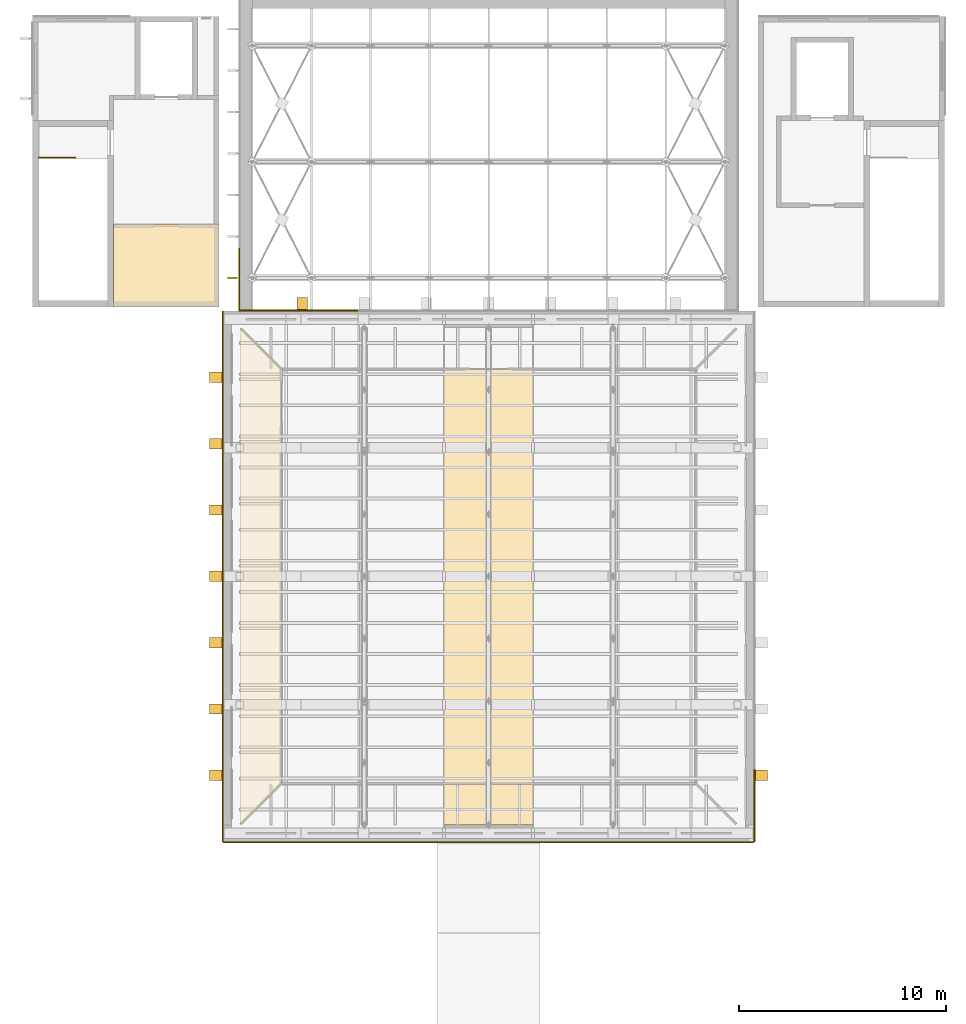
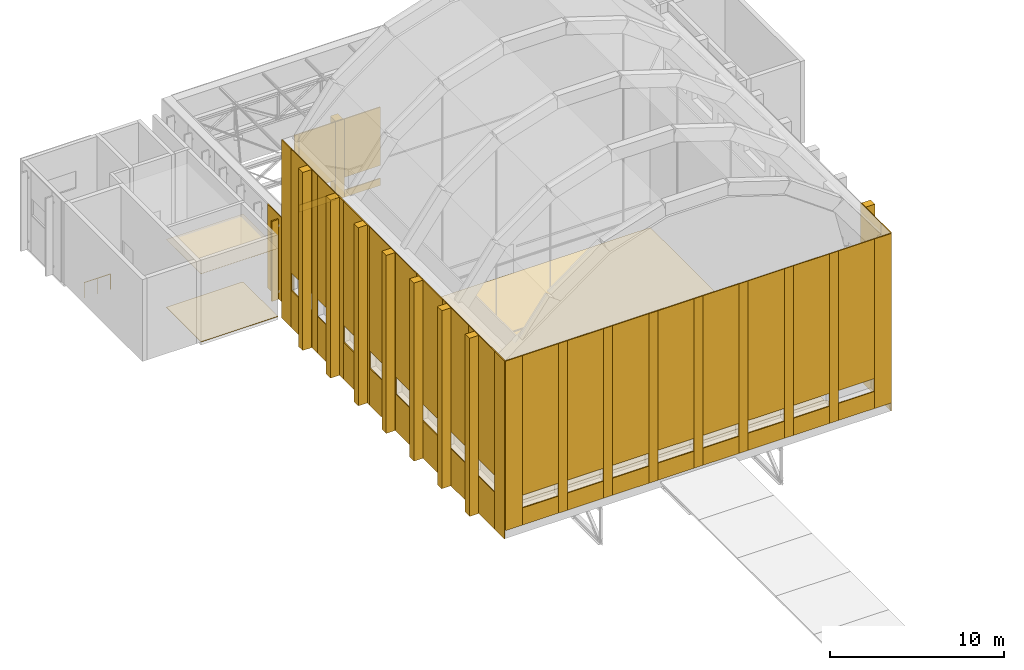
# One storey, part 53 of 55: 74 coverings, 1 railing, 1 shading device.
"""IFC4 building model written with IfcOpenShell, lengths in metres."""

from ifc_helpers import new_model, si_unit, direction, frame, origin, origin_2d, place, context, subcontext, project, spatial, polyline, rectangle, circle, outline, extrude, material, layer, layer_set, type_object, element, save


model = new_model("IFC4")

# Units and contexts
model_context = context("Model", 3, precision=1e-05, world=origin(), true_north=direction((0.0, 1.0)))
body_context = subcontext(model_context, "Body", "Model", "MODEL_VIEW")
ifc_project = project(units=[si_unit("LENGTHUNIT", "METRE"), si_unit("AREAUNIT", "SQUARE_METRE"), si_unit("VOLUMEUNIT", "CUBIC_METRE"), si_unit("PLANEANGLEUNIT", "RADIAN"), si_unit("MASSUNIT", "GRAM", prefix="KILO")], contexts=[model_context])

# Site, building, storey
site_placement = place(None, origin())
site = spatial("IfcSite", under=ifc_project, at=site_placement, CompositionType="ELEMENT")
building_placement = place(site_placement, origin())
building = spatial("IfcBuilding", under=site, at=building_placement, Name="Lunette Opera House", CompositionType="ELEMENT")
storey_placement = place(building_placement, frame((0.0, 0.0, 34.0)))
storey = spatial("IfcBuildingStorey", under=building, at=storey_placement, Name="L06", CompositionType="ELEMENT", Elevation=34.0)

# Shading device
ifc_material_1 = material(Name="Powder-coated aluminium", Category="aluminium")
shading_device_type = type_object("IfcShadingDeviceType", Name="SOLAR FIN 100 X 450", PredefinedType="USERDEFINED", material=ifc_material_1)
shading_device_placement = place(storey_placement, frame((83.614990234375, 122.39990234375, 0.11474609375), z_axis=(0.0, 0.0, 1.0), x_axis=(-1.0, 0.0, 0.0)))
element("IfcShadingDevice", 1, at=shading_device_placement, inside=storey, type_object=shading_device_type, Name="Solar fin ST-W090 1", ObjectType="SOLAR FIN", PredefinedType="USERDEFINED", context=body_context, shape_type="SweptSolid", body=[
    extrude(rectangle(XDim=0.449951171875, YDim=0.10009765625, at=origin_2d()), origin(), (0.0, 0.0, 1.0), 5.614990234375),
])

# Railing
ifc_material_2 = material(Name="Steel S355", Category="steel")
railing_type = type_object("IfcRailingType", Name="STAIR GUARD 1100", PredefinedType="GUARDRAIL", material=ifc_material_2)
railing_placement = place(storey_placement, frame((74.300048828125, 128.199951171875, 0.0)))
element("IfcRailing", 2, at=railing_placement, inside=storey, type_object=railing_type, Name="L06 ST11 top well guard 1", PredefinedType="GUARDRAIL", context=body_context, shape_type="SweptSolid", body=[
    extrude(circle(Radius=0.02392578125, at=origin_2d()), frame((0.0, 0.0, 1.076171875), z_axis=(1.0, 0.0, 0.0), x_axis=(0.0, 1.0, 0.0)), (0.0, 0.0, 1.0), 1.75),
    extrude(circle(Radius=0.02099609375, at=origin_2d()), origin(), (0.0, 0.0, 1.0), 1.052001953125),
    extrude(circle(Radius=0.02099609375, at=origin_2d()), frame((0.875, 0.0, 0.0)), (0.0, 0.0, 1.0), 1.052001953125),
    extrude(circle(Radius=0.02099609375, at=origin_2d()), frame((1.75, 0.0, 0.0)), (0.0, 0.0, 1.0), 1.052001953125),
])

# Coverings
ifc_material_3 = material(Name="Aluminium standing seam cladding", Category="aluminium")
ifc_layer_1 = layer(ifc_material_3, 0.06005859375)
ifc_layer_set_1 = layer_set([ifc_layer_1], Name="Aluminium standing seam cladding")
covering_type_1 = type_object("IfcCoveringType", Name="STANDING SEAM CLADDING 60", PredefinedType="CLADDING", material=ifc_layer_set_1)
covering_1_placement = place(storey_placement, frame((83.169921875, 95.75, 0.0), z_axis=(0.0, 0.0, 1.0), x_axis=(0.0, 1.0, 0.0)))
element("IfcCovering", 3, at=covering_1_placement, inside=storey, type_object=covering_type_1, Name="Standing seam cladding WW L06 00", PredefinedType="CLADDING", context=body_context, shape_type="SweptSolid", body=[
    extrude(rectangle(XDim=1.10009765625, YDim=0.06005859375, at=origin_2d()), origin(), (0.0, 0.0, 1.0), 12.5),
])
covering_2_placement = place(storey_placement, frame((83.169921875, 97.5, 0.0), z_axis=(0.0, 0.0, 1.0), x_axis=(0.0, 1.0, 0.0)))
element("IfcCovering", 4, at=covering_2_placement, inside=storey, type_object=covering_type_1, Name="Standing seam cladding WW L06 10", PredefinedType="CLADDING", context=body_context, shape_type="SweptSolid", body=[
    extrude(rectangle(XDim=2.39990234375, YDim=0.06005859375, at=origin_2d()), origin(), (0.0, 0.0, 1.0), 2.60009765625),
])
covering_3_placement = place(storey_placement, frame((83.169921875, 97.5, 3.7998046875), z_axis=(0.0, 0.0, 1.0), x_axis=(0.0, 1.0, 0.0)))
element("IfcCovering", 5, at=covering_3_placement, inside=storey, type_object=covering_type_1, Name="Standing seam cladding WW L06 11", PredefinedType="CLADDING", context=body_context, shape_type="SweptSolid", body=[
    extrude(rectangle(XDim=2.39990234375, YDim=0.06005859375, at=origin_2d()), origin(), (0.0, 0.0, 1.0), 8.699951171875),
])
covering_4_placement = place(storey_placement, frame((83.169921875, 99.0, 0.0), z_axis=(0.0, 0.0, 1.0), x_axis=(0.0, 1.0, 0.0)))
element("IfcCovering", 6, at=covering_4_placement, inside=storey, type_object=covering_type_1, Name="Standing seam cladding WW L06 20", PredefinedType="CLADDING", context=body_context, shape_type="SweptSolid", body=[
    extrude(rectangle(XDim=0.60009765625, YDim=0.06005859375, at=origin_2d()), origin(), (0.0, 0.0, 1.0), 12.5),
])
covering_5_placement = place(storey_placement, frame((83.169921875, 100.5, 0.0), z_axis=(0.0, 0.0, 1.0), x_axis=(0.0, 1.0, 0.0)))
element("IfcCovering", 7, at=covering_5_placement, inside=storey, type_object=covering_type_1, Name="Standing seam cladding WW L06 30", PredefinedType="CLADDING", context=body_context, shape_type="SweptSolid", body=[
    extrude(rectangle(XDim=2.39990234375, YDim=0.06005859375, at=origin_2d()), origin(), (0.0, 0.0, 1.0), 2.60009765625),
])
covering_6_placement = place(storey_placement, frame((83.169921875, 100.5, 3.7998046875), z_axis=(0.0, 0.0, 1.0), x_axis=(0.0, 1.0, 0.0)))
element("IfcCovering", 8, at=covering_6_placement, inside=storey, type_object=covering_type_1, Name="Standing seam cladding WW L06 31", PredefinedType="CLADDING", context=body_context, shape_type="SweptSolid", body=[
    extrude(rectangle(XDim=2.39990234375, YDim=0.06005859375, at=origin_2d()), origin(), (0.0, 0.0, 1.0), 8.699951171875),
])
covering_7_placement = place(storey_placement, frame((83.169921875, 102.0, 0.0), z_axis=(0.0, 0.0, 1.0), x_axis=(0.0, 1.0, 0.0)))
element("IfcCovering", 9, at=covering_7_placement, inside=storey, type_object=covering_type_1, Name="Standing seam cladding WW L06 40", PredefinedType="CLADDING", context=body_context, shape_type="SweptSolid", body=[
    extrude(rectangle(XDim=0.60009765625, YDim=0.06005859375, at=origin_2d()), origin(), (0.0, 0.0, 1.0), 12.5),
])
covering_8_placement = place(storey_placement, frame((83.169921875, 103.5, 0.0), z_axis=(0.0, 0.0, 1.0), x_axis=(0.0, 1.0, 0.0)))
element("IfcCovering", 10, at=covering_8_placement, inside=storey, type_object=covering_type_1, Name="Standing seam cladding WW L06 50", PredefinedType="CLADDING", context=body_context, shape_type="SweptSolid", body=[
    extrude(rectangle(XDim=2.39990234375, YDim=0.06005859375, at=origin_2d()), origin(), (0.0, 0.0, 1.0), 2.60009765625),
])
covering_9_placement = place(storey_placement, frame((83.169921875, 103.5, 3.7998046875), z_axis=(0.0, 0.0, 1.0), x_axis=(0.0, 1.0, 0.0)))
element("IfcCovering", 11, at=covering_9_placement, inside=storey, type_object=covering_type_1, Name="Standing seam cladding WW L06 51", PredefinedType="CLADDING", context=body_context, shape_type="SweptSolid", body=[
    extrude(rectangle(XDim=2.39990234375, YDim=0.06005859375, at=origin_2d()), origin(), (0.0, 0.0, 1.0), 8.699951171875),
])
covering_10_placement = place(storey_placement, frame((83.169921875, 105.0, 0.0), z_axis=(0.0, 0.0, 1.0), x_axis=(0.0, 1.0, 0.0)))
element("IfcCovering", 12, at=covering_10_placement, inside=storey, type_object=covering_type_1, Name="Standing seam cladding WW L06 60", PredefinedType="CLADDING", context=body_context, shape_type="SweptSolid", body=[
    extrude(rectangle(XDim=0.60009765625, YDim=0.06005859375, at=origin_2d()), origin(), (0.0, 0.0, 1.0), 12.5),
])
covering_11_placement = place(storey_placement, frame((83.169921875, 106.5, 0.0), z_axis=(0.0, 0.0, 1.0), x_axis=(0.0, 1.0, 0.0)))
element("IfcCovering", 13, at=covering_11_placement, inside=storey, type_object=covering_type_1, Name="Standing seam cladding WW L06 70", PredefinedType="CLADDING", context=body_context, shape_type="SweptSolid", body=[
    extrude(rectangle(XDim=2.39990234375, YDim=0.06005859375, at=origin_2d()), origin(), (0.0, 0.0, 1.0), 2.60009765625),
])
covering_12_placement = place(storey_placement, frame((83.169921875, 106.5, 3.7998046875), z_axis=(0.0, 0.0, 1.0), x_axis=(0.0, 1.0, 0.0)))
element("IfcCovering", 14, at=covering_12_placement, inside=storey, type_object=covering_type_1, Name="Standing seam cladding WW L06 71", PredefinedType="CLADDING", context=body_context, shape_type="SweptSolid", body=[
    extrude(rectangle(XDim=2.39990234375, YDim=0.06005859375, at=origin_2d()), origin(), (0.0, 0.0, 1.0), 8.699951171875),
])
covering_13_placement = place(storey_placement, frame((83.169921875, 108.0, 0.0), z_axis=(0.0, 0.0, 1.0), x_axis=(0.0, 1.0, 0.0)))
element("IfcCovering", 15, at=covering_13_placement, inside=storey, type_object=covering_type_1, Name="Standing seam cladding WW L06 80", PredefinedType="CLADDING", context=body_context, shape_type="SweptSolid", body=[
    extrude(rectangle(XDim=0.60009765625, YDim=0.06005859375, at=origin_2d()), origin(), (0.0, 0.0, 1.0), 12.5),
])
covering_14_placement = place(storey_placement, frame((83.169921875, 109.5, 0.0), z_axis=(0.0, 0.0, 1.0), x_axis=(0.0, 1.0, 0.0)))
element("IfcCovering", 16, at=covering_14_placement, inside=storey, type_object=covering_type_1, Name="Standing seam cladding WW L06 90", PredefinedType="CLADDING", context=body_context, shape_type="SweptSolid", body=[
    extrude(rectangle(XDim=2.39990234375, YDim=0.06005859375, at=origin_2d()), origin(), (0.0, 0.0, 1.0), 2.60009765625),
])
covering_15_placement = place(storey_placement, frame((83.169921875, 109.5, 3.7998046875), z_axis=(0.0, 0.0, 1.0), x_axis=(0.0, 1.0, 0.0)))
element("IfcCovering", 17, at=covering_15_placement, inside=storey, type_object=covering_type_1, Name="Standing seam cladding WW L06 91", PredefinedType="CLADDING", context=body_context, shape_type="SweptSolid", body=[
    extrude(rectangle(XDim=2.39990234375, YDim=0.06005859375, at=origin_2d()), origin(), (0.0, 0.0, 1.0), 8.699951171875),
])
covering_16_placement = place(storey_placement, frame((83.169921875, 111.0, 0.0), z_axis=(0.0, 0.0, 1.0), x_axis=(0.0, 1.0, 0.0)))
element("IfcCovering", 18, at=covering_16_placement, inside=storey, type_object=covering_type_1, Name="Standing seam cladding WW L06 100", PredefinedType="CLADDING", context=body_context, shape_type="SweptSolid", body=[
    extrude(rectangle(XDim=0.60009765625, YDim=0.06005859375, at=origin_2d()), origin(), (0.0, 0.0, 1.0), 12.5),
])
covering_17_placement = place(storey_placement, frame((83.169921875, 112.5, 0.0), z_axis=(0.0, 0.0, 1.0), x_axis=(0.0, 1.0, 0.0)))
element("IfcCovering", 19, at=covering_17_placement, inside=storey, type_object=covering_type_1, Name="Standing seam cladding WW L06 110", PredefinedType="CLADDING", context=body_context, shape_type="SweptSolid", body=[
    extrude(rectangle(XDim=2.39990234375, YDim=0.06005859375, at=origin_2d()), origin(), (0.0, 0.0, 1.0), 2.60009765625),
])
covering_18_placement = place(storey_placement, frame((83.169921875, 112.5, 3.7998046875), z_axis=(0.0, 0.0, 1.0), x_axis=(0.0, 1.0, 0.0)))
element("IfcCovering", 20, at=covering_18_placement, inside=storey, type_object=covering_type_1, Name="Standing seam cladding WW L06 111", PredefinedType="CLADDING", context=body_context, shape_type="SweptSolid", body=[
    extrude(rectangle(XDim=2.39990234375, YDim=0.06005859375, at=origin_2d()), origin(), (0.0, 0.0, 1.0), 8.699951171875),
])
covering_19_placement = place(storey_placement, frame((83.169921875, 114.0, 0.0), z_axis=(0.0, 0.0, 1.0), x_axis=(0.0, 1.0, 0.0)))
element("IfcCovering", 21, at=covering_19_placement, inside=storey, type_object=covering_type_1, Name="Standing seam cladding WW L06 120", PredefinedType="CLADDING", context=body_context, shape_type="SweptSolid", body=[
    extrude(rectangle(XDim=0.60009765625, YDim=0.06005859375, at=origin_2d()), origin(), (0.0, 0.0, 1.0), 12.5),
])
covering_20_placement = place(storey_placement, frame((83.169921875, 115.5, 0.0), z_axis=(0.0, 0.0, 1.0), x_axis=(0.0, 1.0, 0.0)))
element("IfcCovering", 22, at=covering_20_placement, inside=storey, type_object=covering_type_1, Name="Standing seam cladding WW L06 130", PredefinedType="CLADDING", context=body_context, shape_type="SweptSolid", body=[
    extrude(rectangle(XDim=2.39990234375, YDim=0.06005859375, at=origin_2d()), origin(), (0.0, 0.0, 1.0), 2.60009765625),
])
covering_21_placement = place(storey_placement, frame((83.169921875, 115.5, 3.7998046875), z_axis=(0.0, 0.0, 1.0), x_axis=(0.0, 1.0, 0.0)))
element("IfcCovering", 23, at=covering_21_placement, inside=storey, type_object=covering_type_1, Name="Standing seam cladding WW L06 131", PredefinedType="CLADDING", context=body_context, shape_type="SweptSolid", body=[
    extrude(rectangle(XDim=2.39990234375, YDim=0.06005859375, at=origin_2d()), origin(), (0.0, 0.0, 1.0), 8.699951171875),
])
covering_22_placement = place(storey_placement, frame((83.169921875, 117.0, 0.0), z_axis=(0.0, 0.0, 1.0), x_axis=(0.0, 1.0, 0.0)))
element("IfcCovering", 24, at=covering_22_placement, inside=storey, type_object=covering_type_1, Name="Standing seam cladding WW L06 140", PredefinedType="CLADDING", context=body_context, shape_type="SweptSolid", body=[
    extrude(rectangle(XDim=0.60009765625, YDim=0.06005859375, at=origin_2d()), origin(), (0.0, 0.0, 1.0), 12.5),
])
covering_23_placement = place(storey_placement, frame((83.169921875, 118.5, 0.0), z_axis=(0.0, 0.0, 1.0), x_axis=(0.0, 1.0, 0.0)))
element("IfcCovering", 25, at=covering_23_placement, inside=storey, type_object=covering_type_1, Name="Standing seam cladding WW L06 150", PredefinedType="CLADDING", context=body_context, shape_type="SweptSolid", body=[
    extrude(rectangle(XDim=2.39990234375, YDim=0.06005859375, at=origin_2d()), origin(), (0.0, 0.0, 1.0), 2.60009765625),
])
covering_24_placement = place(storey_placement, frame((83.169921875, 118.5, 3.7998046875), z_axis=(0.0, 0.0, 1.0), x_axis=(0.0, 1.0, 0.0)))
element("IfcCovering", 26, at=covering_24_placement, inside=storey, type_object=covering_type_1, Name="Standing seam cladding WW L06 151", PredefinedType="CLADDING", context=body_context, shape_type="SweptSolid", body=[
    extrude(rectangle(XDim=2.39990234375, YDim=0.06005859375, at=origin_2d()), origin(), (0.0, 0.0, 1.0), 8.699951171875),
])
for number, where, z_axis, x_axis, name in (
    (27, (83.169921875, 120.25, 0.0), (0.0, 0.0, 1.0), (0.0, 1.0, 0.0), "Standing seam cladding WW L06 160"),
    (28, (108.830078125, 95.75, 0.0), (0.0, 0.0, 1.0), (0.0, 1.0, 0.0), "Standing seam cladding WE L06 00"),
):
    element("IfcCovering", number, at=place(storey_placement, frame(where, z_axis=z_axis, x_axis=x_axis)), inside=storey, type_object=covering_type_1, Name=name, PredefinedType="CLADDING", context=body_context, shape_type="SweptSolid", body=[
        extrude(rectangle(XDim=1.10009765625, YDim=0.06005859375, at=origin_2d()), origin(), (0.0, 0.0, 1.0), 12.5),
    ])
covering_25_placement = place(storey_placement, frame((108.830078125, 97.5, 0.0), z_axis=(0.0, 0.0, 1.0), x_axis=(0.0, 1.0, 0.0)))
element("IfcCovering", 29, at=covering_25_placement, inside=storey, type_object=covering_type_1, Name="Standing seam cladding WE L06 10", PredefinedType="CLADDING", context=body_context, shape_type="SweptSolid", body=[
    extrude(rectangle(XDim=2.39990234375, YDim=0.06005859375, at=origin_2d()), origin(), (0.0, 0.0, 1.0), 2.60009765625),
])
covering_26_placement = place(storey_placement, frame((108.830078125, 97.5, 3.7998046875), z_axis=(0.0, 0.0, 1.0), x_axis=(0.0, 1.0, 0.0)))
element("IfcCovering", 30, at=covering_26_placement, inside=storey, type_object=covering_type_1, Name="Standing seam cladding WE L06 11", PredefinedType="CLADDING", context=body_context, shape_type="SweptSolid", body=[
    extrude(rectangle(XDim=2.39990234375, YDim=0.06005859375, at=origin_2d()), origin(), (0.0, 0.0, 1.0), 8.699951171875),
])
covering_27_placement = place(storey_placement, frame((84.14990234375, 120.830078125, 7.0), z_axis=(0.0, 0.0, 1.0), x_axis=(1.0, 0.0, 0.0)))
element("IfcCovering", 31, at=covering_27_placement, inside=storey, type_object=covering_type_1, Name="Standing seam cladding WN L06 00", PredefinedType="CLADDING", context=body_context, shape_type="SweptSolid", body=[
    extrude(rectangle(XDim=0.300048828125, YDim=0.06005859375, at=origin_2d()), origin(), (0.0, 0.0, 1.0), 5.5),
])
covering_28_placement = place(storey_placement, frame((85.5, 120.830078125, 7.0), z_axis=(0.0, 0.0, 1.0), x_axis=(1.0, 0.0, 0.0)))
element("IfcCovering", 32, at=covering_28_placement, inside=storey, type_object=covering_type_1, Name="Standing seam cladding WN L06 10", PredefinedType="CLADDING", context=body_context, shape_type="SweptSolid", body=[
    extrude(rectangle(XDim=2.39990234375, YDim=0.06005859375, at=origin_2d()), origin(), (0.0, 0.0, 1.0), 0.5),
])
covering_29_placement = place(storey_placement, frame((85.5, 120.830078125, 8.39990234375), z_axis=(0.0, 0.0, 1.0), x_axis=(1.0, 0.0, 0.0)))
element("IfcCovering", 33, at=covering_29_placement, inside=storey, type_object=covering_type_1, Name="Standing seam cladding WN L06 11", PredefinedType="CLADDING", context=body_context, shape_type="SweptSolid", body=[
    extrude(rectangle(XDim=2.39990234375, YDim=0.06005859375, at=origin_2d()), origin(), (0.0, 0.0, 1.0), 4.10009765625),
])
covering_30_placement = place(storey_placement, frame((87.0, 120.830078125, 7.0), z_axis=(0.0, 0.0, 1.0), x_axis=(1.0, 0.0, 0.0)))
element("IfcCovering", 34, at=covering_30_placement, inside=storey, type_object=covering_type_1, Name="Standing seam cladding WN L06 20", PredefinedType="CLADDING", context=body_context, shape_type="SweptSolid", body=[
    extrude(rectangle(XDim=0.60009765625, YDim=0.06005859375, at=origin_2d()), origin(), (0.0, 0.0, 1.0), 5.5),
])
covering_31_placement = place(storey_placement, frame((88.5, 120.830078125, 7.0), z_axis=(0.0, 0.0, 1.0), x_axis=(1.0, 0.0, 0.0)))
element("IfcCovering", 35, at=covering_31_placement, inside=storey, type_object=covering_type_1, Name="Standing seam cladding WN L06 30", PredefinedType="CLADDING", context=body_context, shape_type="SweptSolid", body=[
    extrude(rectangle(XDim=2.39990234375, YDim=0.06005859375, at=origin_2d()), origin(), (0.0, 0.0, 1.0), 0.5),
])
covering_32_placement = place(storey_placement, frame((88.5, 120.830078125, 8.39990234375), z_axis=(0.0, 0.0, 1.0), x_axis=(1.0, 0.0, 0.0)))
element("IfcCovering", 36, at=covering_32_placement, inside=storey, type_object=covering_type_1, Name="Standing seam cladding WN L06 31", PredefinedType="CLADDING", context=body_context, shape_type="SweptSolid", body=[
    extrude(rectangle(XDim=2.39990234375, YDim=0.06005859375, at=origin_2d()), origin(), (0.0, 0.0, 1.0), 4.10009765625),
])
covering_33_placement = place(storey_placement, frame((83.75, 95.169921875, 0.60009765625), z_axis=(0.0, 0.0, 1.0), x_axis=(1.0, 0.0, 0.0)))
element("IfcCovering", 37, at=covering_33_placement, inside=storey, type_object=covering_type_1, Name="Standing seam cladding WS L06 00", PredefinedType="CLADDING", context=body_context, shape_type="SweptSolid", body=[
    extrude(rectangle(XDim=1.10009765625, YDim=0.06005859375, at=origin_2d()), origin(), (0.0, 0.0, 1.0), 11.89990234375),
])
covering_34_placement = place(storey_placement, frame((85.5, 95.169921875, 0.60009765625), z_axis=(0.0, 0.0, 1.0), x_axis=(1.0, 0.0, 0.0)))
element("IfcCovering", 38, at=covering_34_placement, inside=storey, type_object=covering_type_1, Name="Standing seam cladding WS L06 10", PredefinedType="CLADDING", context=body_context, shape_type="SweptSolid", body=[
    extrude(rectangle(XDim=2.39990234375, YDim=0.06005859375, at=origin_2d()), origin(), (0.0, 0.0, 1.0), 1.199951171875),
])
covering_35_placement = place(storey_placement, frame((85.5, 95.169921875, 2.7001953125), z_axis=(0.0, 0.0, 1.0), x_axis=(1.0, 0.0, 0.0)))
element("IfcCovering", 39, at=covering_35_placement, inside=storey, type_object=covering_type_1, Name="Standing seam cladding WS L06 11", PredefinedType="CLADDING", context=body_context, shape_type="SweptSolid", body=[
    extrude(rectangle(XDim=2.39990234375, YDim=0.06005859375, at=origin_2d()), origin(), (0.0, 0.0, 1.0), 9.800048828125),
])
covering_36_placement = place(storey_placement, frame((87.0, 95.169921875, 0.60009765625), z_axis=(0.0, 0.0, 1.0), x_axis=(1.0, 0.0, 0.0)))
element("IfcCovering", 40, at=covering_36_placement, inside=storey, type_object=covering_type_1, Name="Standing seam cladding WS L06 20", PredefinedType="CLADDING", context=body_context, shape_type="SweptSolid", body=[
    extrude(rectangle(XDim=0.60009765625, YDim=0.06005859375, at=origin_2d()), origin(), (0.0, 0.0, 1.0), 11.89990234375),
])
covering_37_placement = place(storey_placement, frame((88.5, 95.169921875, 0.60009765625), z_axis=(0.0, 0.0, 1.0), x_axis=(1.0, 0.0, 0.0)))
element("IfcCovering", 41, at=covering_37_placement, inside=storey, type_object=covering_type_1, Name="Standing seam cladding WS L06 30", PredefinedType="CLADDING", context=body_context, shape_type="SweptSolid", body=[
    extrude(rectangle(XDim=2.39990234375, YDim=0.06005859375, at=origin_2d()), origin(), (0.0, 0.0, 1.0), 1.199951171875),
])
covering_38_placement = place(storey_placement, frame((88.5, 95.169921875, 2.7001953125), z_axis=(0.0, 0.0, 1.0), x_axis=(1.0, 0.0, 0.0)))
element("IfcCovering", 42, at=covering_38_placement, inside=storey, type_object=covering_type_1, Name="Standing seam cladding WS L06 31", PredefinedType="CLADDING", context=body_context, shape_type="SweptSolid", body=[
    extrude(rectangle(XDim=2.39990234375, YDim=0.06005859375, at=origin_2d()), origin(), (0.0, 0.0, 1.0), 9.800048828125),
])
covering_39_placement = place(storey_placement, frame((90.0, 95.169921875, 0.60009765625), z_axis=(0.0, 0.0, 1.0), x_axis=(1.0, 0.0, 0.0)))
element("IfcCovering", 43, at=covering_39_placement, inside=storey, type_object=covering_type_1, Name="Standing seam cladding WS L06 40", PredefinedType="CLADDING", context=body_context, shape_type="SweptSolid", body=[
    extrude(rectangle(XDim=0.60009765625, YDim=0.06005859375, at=origin_2d()), origin(), (0.0, 0.0, 1.0), 11.89990234375),
])
covering_40_placement = place(storey_placement, frame((91.5, 95.169921875, 0.60009765625), z_axis=(0.0, 0.0, 1.0), x_axis=(1.0, 0.0, 0.0)))
element("IfcCovering", 44, at=covering_40_placement, inside=storey, type_object=covering_type_1, Name="Standing seam cladding WS L06 50", PredefinedType="CLADDING", context=body_context, shape_type="SweptSolid", body=[
    extrude(rectangle(XDim=2.39990234375, YDim=0.06005859375, at=origin_2d()), origin(), (0.0, 0.0, 1.0), 1.199951171875),
])
covering_41_placement = place(storey_placement, frame((91.5, 95.169921875, 2.7001953125), z_axis=(0.0, 0.0, 1.0), x_axis=(1.0, 0.0, 0.0)))
element("IfcCovering", 45, at=covering_41_placement, inside=storey, type_object=covering_type_1, Name="Standing seam cladding WS L06 51", PredefinedType="CLADDING", context=body_context, shape_type="SweptSolid", body=[
    extrude(rectangle(XDim=2.39990234375, YDim=0.06005859375, at=origin_2d()), origin(), (0.0, 0.0, 1.0), 9.800048828125),
])
covering_42_placement = place(storey_placement, frame((93.0, 95.169921875, 0.60009765625), z_axis=(0.0, 0.0, 1.0), x_axis=(1.0, 0.0, 0.0)))
element("IfcCovering", 46, at=covering_42_placement, inside=storey, type_object=covering_type_1, Name="Standing seam cladding WS L06 60", PredefinedType="CLADDING", context=body_context, shape_type="SweptSolid", body=[
    extrude(rectangle(XDim=0.60009765625, YDim=0.06005859375, at=origin_2d()), origin(), (0.0, 0.0, 1.0), 11.89990234375),
])
covering_43_placement = place(storey_placement, frame((94.5, 95.169921875, 0.60009765625), z_axis=(0.0, 0.0, 1.0), x_axis=(1.0, 0.0, 0.0)))
element("IfcCovering", 47, at=covering_43_placement, inside=storey, type_object=covering_type_1, Name="Standing seam cladding WS L06 70", PredefinedType="CLADDING", context=body_context, shape_type="SweptSolid", body=[
    extrude(rectangle(XDim=2.39990234375, YDim=0.06005859375, at=origin_2d()), origin(), (0.0, 0.0, 1.0), 1.199951171875),
])
covering_44_placement = place(storey_placement, frame((94.5, 95.169921875, 2.7001953125), z_axis=(0.0, 0.0, 1.0), x_axis=(1.0, 0.0, 0.0)))
element("IfcCovering", 48, at=covering_44_placement, inside=storey, type_object=covering_type_1, Name="Standing seam cladding WS L06 71", PredefinedType="CLADDING", context=body_context, shape_type="SweptSolid", body=[
    extrude(rectangle(XDim=2.39990234375, YDim=0.06005859375, at=origin_2d()), origin(), (0.0, 0.0, 1.0), 9.800048828125),
])
covering_45_placement = place(storey_placement, frame((96.0, 95.169921875, 0.60009765625), z_axis=(0.0, 0.0, 1.0), x_axis=(1.0, 0.0, 0.0)))
element("IfcCovering", 49, at=covering_45_placement, inside=storey, type_object=covering_type_1, Name="Standing seam cladding WS L06 80", PredefinedType="CLADDING", context=body_context, shape_type="SweptSolid", body=[
    extrude(rectangle(XDim=0.60009765625, YDim=0.06005859375, at=origin_2d()), origin(), (0.0, 0.0, 1.0), 11.89990234375),
])
covering_46_placement = place(storey_placement, frame((97.5, 95.169921875, 0.60009765625), z_axis=(0.0, 0.0, 1.0), x_axis=(1.0, 0.0, 0.0)))
element("IfcCovering", 50, at=covering_46_placement, inside=storey, type_object=covering_type_1, Name="Standing seam cladding WS L06 90", PredefinedType="CLADDING", context=body_context, shape_type="SweptSolid", body=[
    extrude(rectangle(XDim=2.39990234375, YDim=0.06005859375, at=origin_2d()), origin(), (0.0, 0.0, 1.0), 1.199951171875),
])
covering_47_placement = place(storey_placement, frame((97.5, 95.169921875, 2.7001953125), z_axis=(0.0, 0.0, 1.0), x_axis=(1.0, 0.0, 0.0)))
element("IfcCovering", 51, at=covering_47_placement, inside=storey, type_object=covering_type_1, Name="Standing seam cladding WS L06 91", PredefinedType="CLADDING", context=body_context, shape_type="SweptSolid", body=[
    extrude(rectangle(XDim=2.39990234375, YDim=0.06005859375, at=origin_2d()), origin(), (0.0, 0.0, 1.0), 9.800048828125),
])
covering_48_placement = place(storey_placement, frame((99.0, 95.169921875, 0.60009765625), z_axis=(0.0, 0.0, 1.0), x_axis=(1.0, 0.0, 0.0)))
element("IfcCovering", 52, at=covering_48_placement, inside=storey, type_object=covering_type_1, Name="Standing seam cladding WS L06 100", PredefinedType="CLADDING", context=body_context, shape_type="SweptSolid", body=[
    extrude(rectangle(XDim=0.60009765625, YDim=0.06005859375, at=origin_2d()), origin(), (0.0, 0.0, 1.0), 11.89990234375),
])
covering_49_placement = place(storey_placement, frame((100.5, 95.169921875, 0.60009765625), z_axis=(0.0, 0.0, 1.0), x_axis=(1.0, 0.0, 0.0)))
element("IfcCovering", 53, at=covering_49_placement, inside=storey, type_object=covering_type_1, Name="Standing seam cladding WS L06 110", PredefinedType="CLADDING", context=body_context, shape_type="SweptSolid", body=[
    extrude(rectangle(XDim=2.39990234375, YDim=0.06005859375, at=origin_2d()), origin(), (0.0, 0.0, 1.0), 1.199951171875),
])
covering_50_placement = place(storey_placement, frame((100.5, 95.169921875, 2.7001953125), z_axis=(0.0, 0.0, 1.0), x_axis=(1.0, 0.0, 0.0)))
element("IfcCovering", 54, at=covering_50_placement, inside=storey, type_object=covering_type_1, Name="Standing seam cladding WS L06 111", PredefinedType="CLADDING", context=body_context, shape_type="SweptSolid", body=[
    extrude(rectangle(XDim=2.39990234375, YDim=0.06005859375, at=origin_2d()), origin(), (0.0, 0.0, 1.0), 9.800048828125),
])
covering_51_placement = place(storey_placement, frame((102.0, 95.169921875, 0.60009765625), z_axis=(0.0, 0.0, 1.0), x_axis=(1.0, 0.0, 0.0)))
element("IfcCovering", 55, at=covering_51_placement, inside=storey, type_object=covering_type_1, Name="Standing seam cladding WS L06 120", PredefinedType="CLADDING", context=body_context, shape_type="SweptSolid", body=[
    extrude(rectangle(XDim=0.60009765625, YDim=0.06005859375, at=origin_2d()), origin(), (0.0, 0.0, 1.0), 11.89990234375),
])
covering_52_placement = place(storey_placement, frame((103.5, 95.169921875, 0.60009765625), z_axis=(0.0, 0.0, 1.0), x_axis=(1.0, 0.0, 0.0)))
element("IfcCovering", 56, at=covering_52_placement, inside=storey, type_object=covering_type_1, Name="Standing seam cladding WS L06 130", PredefinedType="CLADDING", context=body_context, shape_type="SweptSolid", body=[
    extrude(rectangle(XDim=2.39990234375, YDim=0.06005859375, at=origin_2d()), origin(), (0.0, 0.0, 1.0), 1.199951171875),
])
covering_53_placement = place(storey_placement, frame((103.5, 95.169921875, 2.7001953125), z_axis=(0.0, 0.0, 1.0), x_axis=(1.0, 0.0, 0.0)))
element("IfcCovering", 57, at=covering_53_placement, inside=storey, type_object=covering_type_1, Name="Standing seam cladding WS L06 131", PredefinedType="CLADDING", context=body_context, shape_type="SweptSolid", body=[
    extrude(rectangle(XDim=2.39990234375, YDim=0.06005859375, at=origin_2d()), origin(), (0.0, 0.0, 1.0), 9.800048828125),
])
covering_54_placement = place(storey_placement, frame((105.0, 95.169921875, 0.60009765625), z_axis=(0.0, 0.0, 1.0), x_axis=(1.0, 0.0, 0.0)))
element("IfcCovering", 58, at=covering_54_placement, inside=storey, type_object=covering_type_1, Name="Standing seam cladding WS L06 140", PredefinedType="CLADDING", context=body_context, shape_type="SweptSolid", body=[
    extrude(rectangle(XDim=0.60009765625, YDim=0.06005859375, at=origin_2d()), origin(), (0.0, 0.0, 1.0), 11.89990234375),
])
covering_55_placement = place(storey_placement, frame((106.5, 95.169921875, 0.60009765625), z_axis=(0.0, 0.0, 1.0), x_axis=(1.0, 0.0, 0.0)))
element("IfcCovering", 59, at=covering_55_placement, inside=storey, type_object=covering_type_1, Name="Standing seam cladding WS L06 150", PredefinedType="CLADDING", context=body_context, shape_type="SweptSolid", body=[
    extrude(rectangle(XDim=2.39990234375, YDim=0.06005859375, at=origin_2d()), origin(), (0.0, 0.0, 1.0), 1.199951171875),
])
covering_56_placement = place(storey_placement, frame((106.5, 95.169921875, 2.7001953125), z_axis=(0.0, 0.0, 1.0), x_axis=(1.0, 0.0, 0.0)))
element("IfcCovering", 60, at=covering_56_placement, inside=storey, type_object=covering_type_1, Name="Standing seam cladding WS L06 151", PredefinedType="CLADDING", context=body_context, shape_type="SweptSolid", body=[
    extrude(rectangle(XDim=2.39990234375, YDim=0.06005859375, at=origin_2d()), origin(), (0.0, 0.0, 1.0), 9.800048828125),
])
covering_57_placement = place(storey_placement, frame((108.25, 95.169921875, 0.60009765625), z_axis=(0.0, 0.0, 1.0), x_axis=(1.0, 0.0, 0.0)))
element("IfcCovering", 61, at=covering_57_placement, inside=storey, type_object=covering_type_1, Name="Standing seam cladding WS L06 160", PredefinedType="CLADDING", context=body_context, shape_type="SweptSolid", body=[
    extrude(rectangle(XDim=1.10009765625, YDim=0.06005859375, at=origin_2d()), origin(), (0.0, 0.0, 1.0), 11.89990234375),
])
covering_58_placement = place(storey_placement, frame((83.969970703125, 122.320068359375, 0.0), z_axis=(0.0, 0.0, 1.0), x_axis=(0.0, 1.0, 0.0)))
element("IfcCovering", 62, at=covering_58_placement, inside=storey, type_object=covering_type_1, Name="Standing seam cladding SR-W-1 L06 00", PredefinedType="CLADDING", context=body_context, shape_type="SweptSolid", body=[
    extrude(rectangle(XDim=3.0400390625, YDim=0.06005859375, at=origin_2d()), origin(), (0.0, 0.0, 1.0), 5.8798828125),
])
ifc_material_4 = material(Name="Mineral fibre board")
ifc_layer_2 = layer(ifc_material_4, 0.014892578125)
ifc_layer_set_2 = layer_set([ifc_layer_2], Name="Mineral fibre board")
covering_type_2 = type_object("IfcCoveringType", Name="SUSPENDED ACOUSTIC CEILING 15", PredefinedType="CEILING", material=ifc_layer_set_2)
covering_59_placement = place(storey_placement, frame((0.0, 0.0, 4.784912109375)))
element("IfcCovering", 63, at=covering_59_placement, inside=storey, type_object=covering_type_2, Name="Ceiling Grid Control Room", PredefinedType="CEILING", context=body_context, shape_type="SweptSolid", body=[
    extrude(outline(polyline([(77.89990234375, 125.0), (83.0, 125.0), (83.0, 121.0), (77.89990234375, 121.0), (77.89990234375, 125.0)])), origin(), (0.0, 0.0, 1.0), 0.01513671875),
])
ifc_material_5 = material(Name="Timber", Category="wood")
ifc_layer_3 = layer(ifc_material_5, 0.0400390625)
ifc_layer_set_3 = layer_set([ifc_layer_3], Name="Timber")
covering_type_3 = type_object("IfcCoveringType", Name="TIMBER FLOOR FINISH 40", PredefinedType="FLOORING", material=ifc_layer_set_3)
covering_60_placement = place(storey_placement, origin())
element("IfcCovering", 64, at=covering_60_placement, inside=storey, type_object=covering_type_3, Name="Floor finish Fly Tower Grid", PredefinedType="FLOORING", context=body_context, shape_type="SweptSolid", body=[
    extrude(outline(polyline([(106.0, 98.0), (86.0, 98.0), (86.0, 118.0), (106.0, 118.0), (106.0, 98.0)])), origin(), (0.0, 0.0, 1.0), 0.0400390625),
])
covering_61_placement = place(storey_placement, origin())
element("IfcCovering", 65, at=covering_61_placement, inside=storey, type_object=covering_type_3, Name="Floor finish Fly Gallery 34 South", PredefinedType="FLOORING", context=body_context, shape_type="SweptSolid", body=[
    extrude(outline(polyline([(86.0, 98.0), (106.0, 98.0), (108.0, 96.0), (84.0, 96.0), (86.0, 98.0)])), origin(), (0.0, 0.0, 1.0), 0.0400390625),
])
covering_62_placement = place(storey_placement, origin())
element("IfcCovering", 66, at=covering_62_placement, inside=storey, type_object=covering_type_3, Name="Floor finish Fly Gallery 34 West", PredefinedType="FLOORING", context=body_context, shape_type="SweptSolid", body=[
    extrude(outline(polyline([(86.0, 118.0), (86.0, 98.0), (84.0, 96.0), (84.0, 120.0), (86.0, 118.0)])), origin(), (0.0, 0.0, 1.0), 0.0400390625),
])
covering_63_placement = place(storey_placement, origin())
element("IfcCovering", 67, at=covering_63_placement, inside=storey, type_object=covering_type_3, Name="Floor finish Grid Control Room", PredefinedType="FLOORING", context=body_context, shape_type="SweptSolid", body=[
    extrude(outline(polyline([(77.89990234375, 125.0), (83.0, 125.0), (83.0, 121.0), (77.89990234375, 121.0), (77.89990234375, 125.0)])), origin(), (0.0, 0.0, 1.0), 0.0400390625),
])
ifc_material_6 = material(Name="Weathering steel plate", Category="steel")
ifc_layer_4 = layer(ifc_material_6, 0.60009765625)
ifc_layer_set_4 = layer_set([ifc_layer_4], Name="Weathering steel plate")
covering_type_4 = type_object("IfcCoveringType", Name="TOWER RIB 500 X 600", PredefinedType="CLADDING", material=ifc_layer_set_4)
for number, where, z_axis, x_axis, name in (
    (68, (82.840087890625, 98.39990234375, 0.0), (0.0, 0.0, 1.0), (0.0, 1.0, 0.0), "Tower rib WW L06 1"),
    (69, (82.840087890625, 101.60009765625, 0.0), (0.0, 0.0, 1.0), (0.0, 1.0, 0.0), "Tower rib WW L06 2"),
    (70, (82.840087890625, 104.800048828125, 0.0), (0.0, 0.0, 1.0), (0.0, 1.0, 0.0), "Tower rib WW L06 3"),
    (71, (82.840087890625, 108.0, 0.0), (0.0, 0.0, 1.0), (0.0, 1.0, 0.0), "Tower rib WW L06 4"),
    (72, (82.840087890625, 111.199951171875, 0.0), (0.0, 0.0, 1.0), (0.0, 1.0, 0.0), "Tower rib WW L06 5"),
    (73, (82.840087890625, 114.39990234375, 0.0), (0.0, 0.0, 1.0), (0.0, 1.0, 0.0), "Tower rib WW L06 6"),
    (74, (82.840087890625, 117.60009765625, 0.0), (0.0, 0.0, 1.0), (0.0, 1.0, 0.0), "Tower rib WW L06 7"),
    (75, (109.159912109375, 98.39990234375, 0.0), (0.0, 0.0, 1.0), (0.0, 1.0, 0.0), "Tower rib WE L06 1"),
):
    element("IfcCovering", number, at=place(storey_placement, frame(where, z_axis=z_axis, x_axis=x_axis)), inside=storey, type_object=covering_type_4, Name=name, PredefinedType="CLADDING", context=body_context, shape_type="SweptSolid", body=[
        extrude(rectangle(XDim=0.5, YDim=0.60009765625, at=origin_2d()), origin(), (0.0, 0.0, 1.0), 12.5),
    ])
covering_64_placement = place(storey_placement, frame((87.0, 121.159912109375, 7.0), z_axis=(0.0, 0.0, 1.0), x_axis=(1.0, 0.0, 0.0)))
element("IfcCovering", 76, at=covering_64_placement, inside=storey, type_object=covering_type_4, Name="Tower rib WN L06 1", PredefinedType="CLADDING", context=body_context, shape_type="SweptSolid", body=[
    extrude(rectangle(XDim=0.5, YDim=0.60009765625, at=origin_2d()), origin(), (0.0, 0.0, 1.0), 5.5),
])

save(model, "model.ifc")
